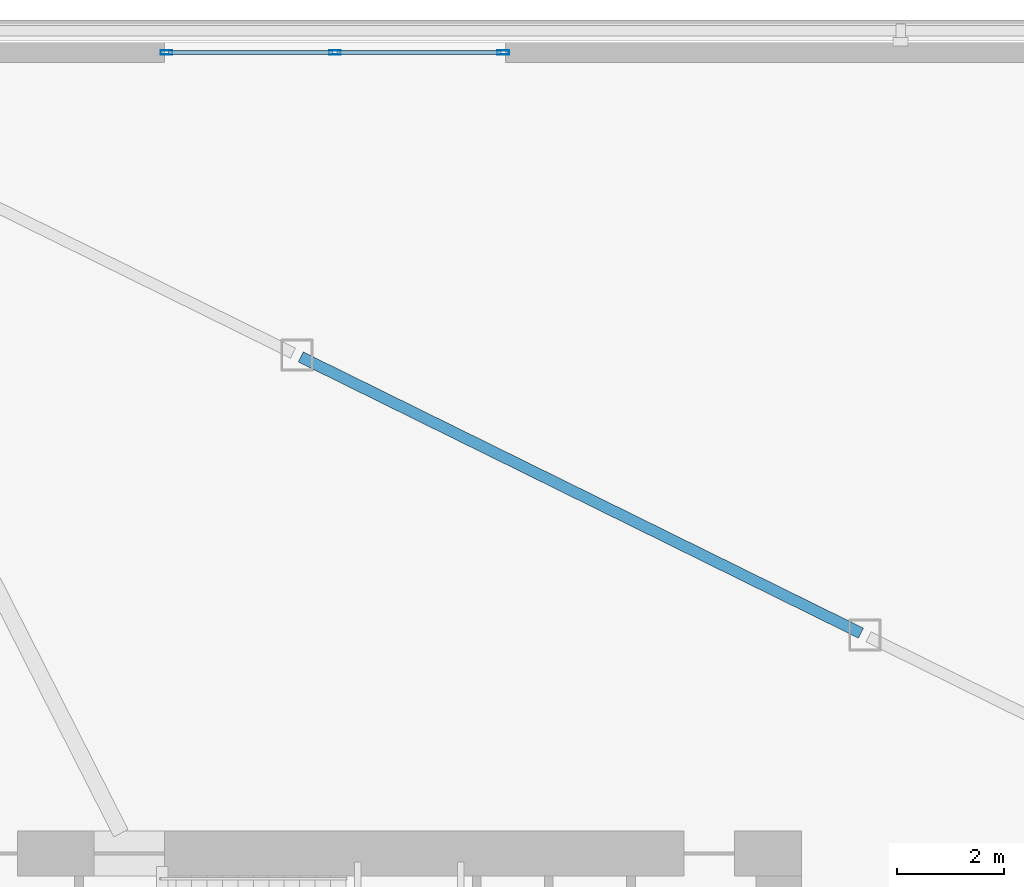
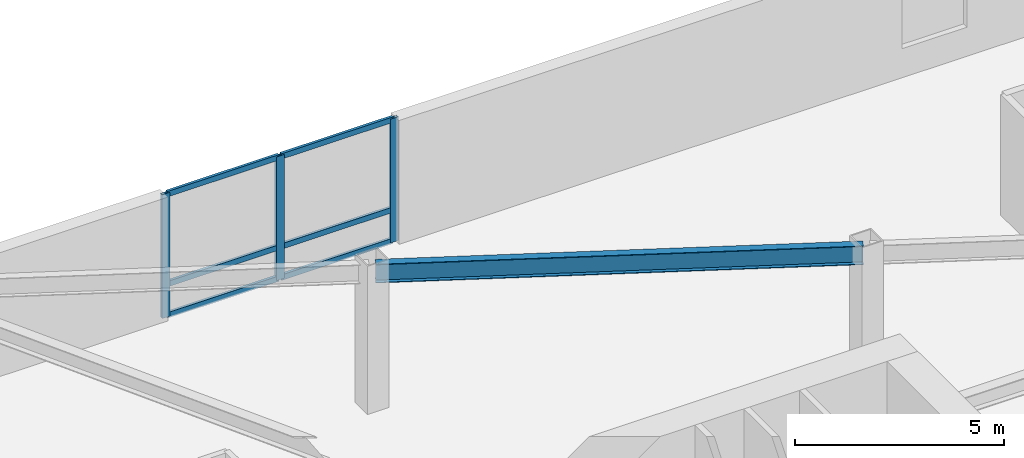
# One storey, part 6 of 16: 9 members, 1 beam, 1 element without a shape of its own.
"""IFC4 building model written with IfcOpenShell, lengths in metres."""

from ifc_helpers import new_model, si_unit, direction, frame, origin, origin_2d, place, context, subcontext, project, spatial, hollow_rectangle, i_section, extrude, source, transform, mapped, material, material_profile, profile_set, type_object, element, aggregate, save


model = new_model("IFC4")

# Units and contexts
model_context = context("Model", 3, precision=1e-05, world=origin(), true_north=direction((0.0, 1.0)))
body_context = subcontext(model_context, "Body", "Model", "MODEL_VIEW")
ifc_project = project(units=[si_unit("LENGTHUNIT", "METRE"), si_unit("AREAUNIT", "SQUARE_METRE"), si_unit("VOLUMEUNIT", "CUBIC_METRE"), si_unit("PLANEANGLEUNIT", "RADIAN"), si_unit("MASSUNIT", "GRAM", prefix="KILO")], contexts=[model_context])

# Site, building, storey
site_placement = place(None, origin())
site = spatial("IfcSite", under=ifc_project, at=site_placement, CompositionType="ELEMENT")
building_placement = place(site_placement, origin())
building = spatial("IfcBuilding", under=site, at=building_placement, Name="Olszyna Solenne Hotel", CompositionType="ELEMENT")
storey_placement = place(building_placement, frame((0.0, 0.0, 15.60009765625)))
storey = spatial("IfcBuildingStorey", under=building, at=storey_placement, Name="L03", CompositionType="ELEMENT", Elevation=15.60009765625)

# Beam
ifc_material_1 = material(Name="Steel S355J2", Category="steel")
ifc_material_profile_1 = material_profile(ifc_material_1, i_section(OverallWidth=0.2099609375, OverallDepth=0.550048828125, WebThickness=0.010986328125, FlangeThickness=0.01708984375, at=origin_2d()), Name="IPE 550", Category="load-bearing")
ifc_profile_set_1 = profile_set([ifc_material_profile_1], Name="Steel S355J2")
beam_type = type_object("IfcBeamType", Name="BM-F2", PredefinedType="BEAM", material=ifc_profile_set_1)
shared_shape_1 = source(origin(), body_context, "Body", "SweptSolid", [
    extrude(i_section(OverallWidth=0.2099609375, OverallDepth=0.550048828125, WebThickness=0.010986328125, FlangeThickness=0.01708984375, at=origin_2d()), origin(), (0.0, 0.0, 1.0), 11.718017578125),
])
beam_placement = place(storey_placement, frame((47.868896484375, 38.2578125, 3.90478515625), z_axis=(-0.896909246916, 0.442214656921, 0.0), x_axis=(-0.442214656921, -0.896909246916, 0.0)))
element("IfcBeam", 1, at=beam_placement, inside=storey, type_object=beam_type, Name="Podium ring girder BM-F2 BRG-L03-23", PredefinedType="BEAM", context=body_context, shape_type="MappedRepresentation", body=[
    mapped(shared_shape_1, transform((0.0, 0.0, 0.0), x_axis=(1.0, 0.0, 0.0), y_axis=(0.0, 1.0, 0.0), z_axis=(0.0, 0.0, 1.0), scale=1.0)),
])

# Curtain wall, members
ifc_material_2 = material(Name="Anodised bronze aluminium", Category="aluminium")
curtain_wall_type = type_object("IfcCurtainWallType", Name="CW-SYS-1", PredefinedType="NOTDEFINED", material=ifc_material_2)
curtain_wall_placement = place(storey_placement, origin())
curtain_wall = element("IfcCurtainWall", 2, at=curtain_wall_placement, inside=storey, type_object=curtain_wall_type, Name="Unitised curtain wall CW-SYS-1 CW-L03-02", PredefinedType="NOTDEFINED")
ifc_material_profile_2 = material_profile(ifc_material_2, hollow_rectangle(XDim=0.074951171875, YDim=0.159912109375, WallThickness=0.00390625, at=origin_2d()), Name="TRAN 160x75x4", Category="load-bearing")
ifc_profile_set_2 = profile_set([ifc_material_profile_2], Name="Anodised bronze aluminium")
member_type_1 = type_object("IfcMemberType", Name="CW-T1", PredefinedType="USERDEFINED", material=ifc_profile_set_2)
shared_shape_2 = source(origin(), body_context, "Body", "SweptSolid", [
    extrude(hollow_rectangle(XDim=0.074951171875, YDim=0.159912109375, WallThickness=0.00390625, at=origin_2d()), origin(), (0.0, 0.0, 1.0), 3.080078125),
])
member_1_placement = place(storey_placement, frame((34.8798828125, 49.14990234375, 0.037353515625), z_axis=(1.0, 0.0, 0.0), x_axis=(0.0, 1.0, 0.0)))
member_1 = element("IfcMember", 3, at=member_1_placement, type_object=member_type_1, Name="Curtain-wall transom CW-T1 CT-L03-02-01", ObjectType="TRANSOM", PredefinedType="USERDEFINED", context=body_context, shape_type="MappedRepresentation", body=[
    mapped(shared_shape_2, transform((0.0, 0.0, 0.0), x_axis=(1.0, 0.0, 0.0), y_axis=(0.0, 1.0, 0.0), z_axis=(0.0, 0.0, 1.0), scale=1.0)),
])
member_2_placement = place(storey_placement, frame((34.8798828125, 49.14990234375, 0.949951171875), z_axis=(1.0, 0.0, 0.0), x_axis=(0.0, 1.0, 0.0)))
member_2 = element("IfcMember", 4, at=member_2_placement, type_object=member_type_1, Name="Curtain-wall transom CW-T1 CT-L03-02-02", ObjectType="TRANSOM", PredefinedType="USERDEFINED", context=body_context, shape_type="MappedRepresentation", body=[
    mapped(shared_shape_2, transform((0.0, 0.0, 0.0), x_axis=(1.0, 0.0, 0.0), y_axis=(0.0, 1.0, 0.0), z_axis=(0.0, 0.0, 1.0), scale=1.0)),
])
member_3_placement = place(storey_placement, frame((34.8798828125, 49.14990234375, 3.58447265625), z_axis=(1.0, 0.0, 0.0), x_axis=(0.0, 1.0, 0.0)))
member_3 = element("IfcMember", 5, at=member_3_placement, type_object=member_type_1, Name="Curtain-wall transom CW-T1 CT-L03-02-03", ObjectType="TRANSOM", PredefinedType="USERDEFINED", context=body_context, shape_type="MappedRepresentation", body=[
    mapped(shared_shape_2, transform((0.0, 0.0, 0.0), x_axis=(1.0, 0.0, 0.0), y_axis=(0.0, 1.0, 0.0), z_axis=(0.0, 0.0, 1.0), scale=1.0)),
])
member_4_placement = place(storey_placement, frame((38.0400390625, 49.14990234375, 0.037353515625), z_axis=(1.0, 0.0, 0.0), x_axis=(0.0, 1.0, 0.0)))
member_4 = element("IfcMember", 6, at=member_4_placement, type_object=member_type_1, Name="Curtain-wall transom CW-T1 CT-L03-02-04", ObjectType="TRANSOM", PredefinedType="USERDEFINED", context=body_context, shape_type="MappedRepresentation", body=[
    mapped(shared_shape_2, transform((0.0, 0.0, 0.0), x_axis=(1.0, 0.0, 0.0), y_axis=(0.0, 1.0, 0.0), z_axis=(0.0, 0.0, 1.0), scale=1.0)),
])
member_5_placement = place(storey_placement, frame((38.0400390625, 49.14990234375, 0.949951171875), z_axis=(1.0, 0.0, 0.0), x_axis=(0.0, 1.0, 0.0)))
member_5 = element("IfcMember", 7, at=member_5_placement, type_object=member_type_1, Name="Curtain-wall transom CW-T1 CT-L03-02-05", ObjectType="TRANSOM", PredefinedType="USERDEFINED", context=body_context, shape_type="MappedRepresentation", body=[
    mapped(shared_shape_2, transform((0.0, 0.0, 0.0), x_axis=(1.0, 0.0, 0.0), y_axis=(0.0, 1.0, 0.0), z_axis=(0.0, 0.0, 1.0), scale=1.0)),
])
member_6_placement = place(storey_placement, frame((38.0400390625, 49.14990234375, 3.58447265625), z_axis=(1.0, 0.0, 0.0), x_axis=(0.0, 1.0, 0.0)))
member_6 = element("IfcMember", 8, at=member_6_placement, type_object=member_type_1, Name="Curtain-wall transom CW-T1 CT-L03-02-06", ObjectType="TRANSOM", PredefinedType="USERDEFINED", context=body_context, shape_type="MappedRepresentation", body=[
    mapped(shared_shape_2, transform((0.0, 0.0, 0.0), x_axis=(1.0, 0.0, 0.0), y_axis=(0.0, 1.0, 0.0), z_axis=(0.0, 0.0, 1.0), scale=1.0)),
])
ifc_material_profile_3 = material_profile(ifc_material_2, hollow_rectangle(XDim=0.080078125, YDim=0.219970703125, WallThickness=0.0048828125, at=origin_2d()), Name="MULL 220x80x5", Category="load-bearing")
ifc_profile_set_3 = profile_set([ifc_material_profile_3], Name="Anodised bronze aluminium")
member_type_2 = type_object("IfcMemberType", Name="CW-M1", PredefinedType="MULLION", material=ifc_profile_set_3)
shared_shape_3 = source(origin(), body_context, "Body", "SweptSolid", [
    extrude(hollow_rectangle(XDim=0.080078125, YDim=0.219970703125, WallThickness=0.0048828125, at=origin_2d()), origin(), (0.0, 0.0, 1.0), 3.621826171875),
])
member_7_placement = place(storey_placement, frame((34.840087890625, 49.14990234375, 0.0), z_axis=(0.0, 0.0, 1.0), x_axis=(0.0, 1.0, 0.0)))
member_7 = element("IfcMember", 9, at=member_7_placement, type_object=member_type_2, Name="Curtain-wall mullion CW-M1 CM-L03-02-01", PredefinedType="MULLION", context=body_context, shape_type="MappedRepresentation", body=[
    mapped(shared_shape_3, transform((0.0, 0.0, 0.0), x_axis=(1.0, 0.0, 0.0), y_axis=(0.0, 1.0, 0.0), z_axis=(0.0, 0.0, 1.0), scale=1.0)),
])
member_8_placement = place(storey_placement, frame((38.0, 49.14990234375, 0.0), z_axis=(0.0, 0.0, 1.0), x_axis=(0.0, 1.0, 0.0)))
member_8 = element("IfcMember", 10, at=member_8_placement, type_object=member_type_2, Name="Curtain-wall mullion CW-M1 CM-L03-02-02", PredefinedType="MULLION", context=body_context, shape_type="MappedRepresentation", body=[
    mapped(shared_shape_3, transform((0.0, 0.0, 0.0), x_axis=(1.0, 0.0, 0.0), y_axis=(0.0, 1.0, 0.0), z_axis=(0.0, 0.0, 1.0), scale=1.0)),
])
member_9_placement = place(storey_placement, frame((41.159912109375, 49.14990234375, 0.0), z_axis=(0.0, 0.0, 1.0), x_axis=(0.0, 1.0, 0.0)))
member_9 = element("IfcMember", 11, at=member_9_placement, type_object=member_type_2, Name="Curtain-wall mullion CW-M1 CM-L03-02-03", PredefinedType="MULLION", context=body_context, shape_type="MappedRepresentation", body=[
    mapped(shared_shape_3, transform((0.0, 0.0, 0.0), x_axis=(1.0, 0.0, 0.0), y_axis=(0.0, 1.0, 0.0), z_axis=(0.0, 0.0, 1.0), scale=1.0)),
])
aggregate(curtain_wall, [member_7, member_8, member_9, member_1, member_2, member_3, member_4, member_5, member_6])

save(model, "model.ifc")
